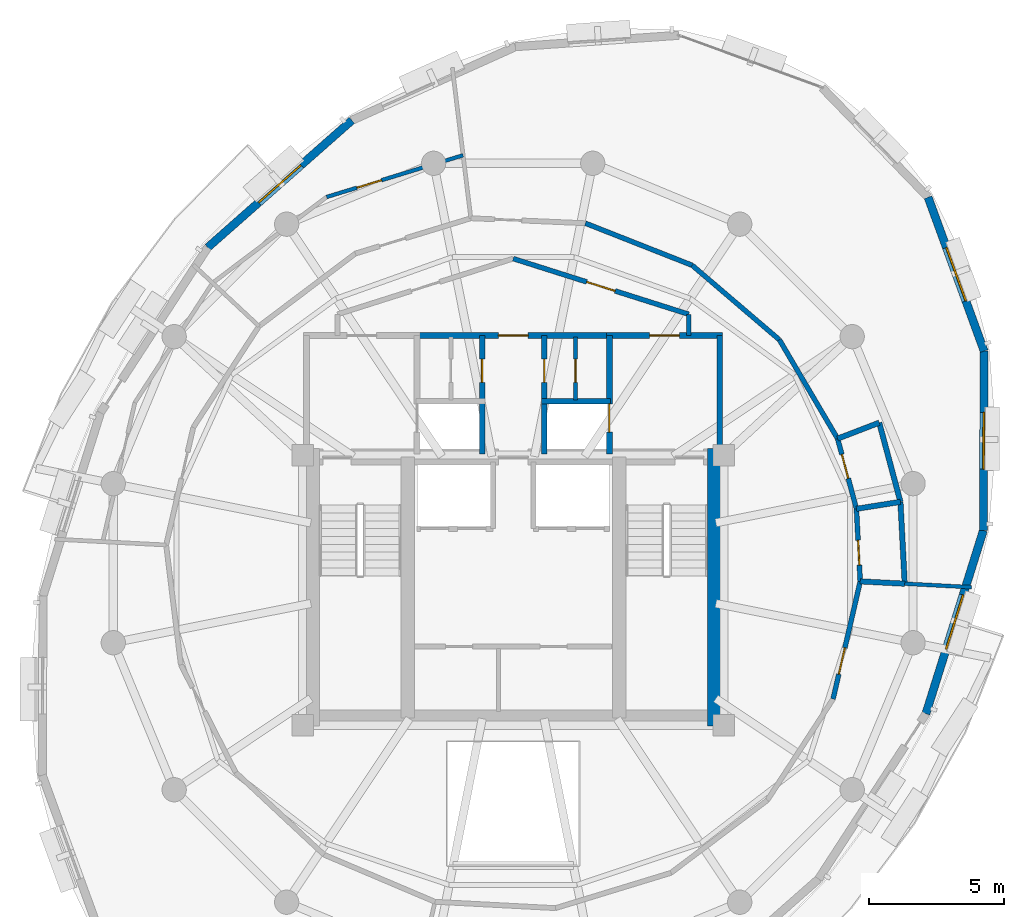
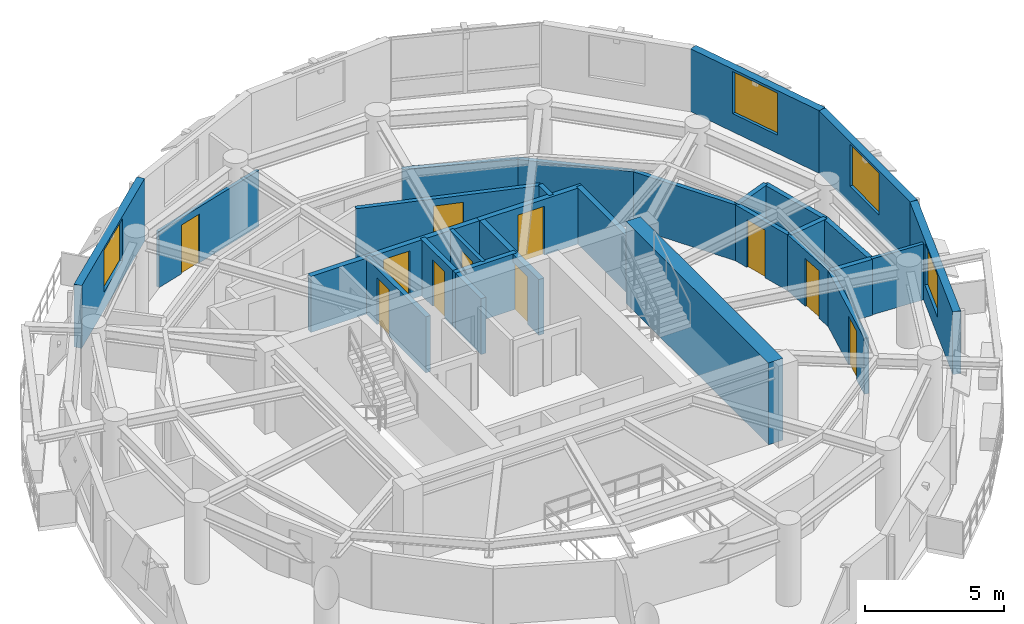
# One storey, part 8 of 11: 28 walls, 11 doors, 4 windows, 15 openings.
"""IFC4 building model written with IfcOpenShell, lengths in metres."""

import ifcopenshell
import ifcopenshell.guid

model = None  # the IFC model being written
_history = None  # IfcOwnerHistory: only IFC2X3 demands one
_inside = {}  # id of a spatial element -> (the spatial element, [elements in it])
_under = {}  # id of a project, library or spatial element -> (it, [spatial elements below it])
_declared = {}  # id of a project -> (the project, [libraries it declares])
_typed = {}  # id of a type object -> (the type object, [elements of that type])
_made_of = {}  # id of a material, layer set ... -> (it, [elements and type objects made of it])


def new_model(schema):
    """Start an empty IFC model of exactly this schema.

    Asked for "IFC4X3", IfcOpenShell would pick the latest addendum, in which some entities
    have other attributes; the version numbers below select the first issue.
    IFC2X3 requires an IfcOwnerHistory on every rooted entity: one is made here for all.
    """
    global model, _history
    if schema == "IFC4X3":
        model = ifcopenshell.file(schema_version=(4, 3, 0, 0))
    else:
        model = ifcopenshell.file(schema=schema)
    _inside.clear()
    _under.clear()
    _declared.clear()
    _typed.clear()
    _made_of.clear()
    _history = None
    if model.schema == "IFC2X3":
        org = make("IfcOrganization", Name="unknown")
        user = make(
            "IfcPersonAndOrganization",
            ThePerson=make("IfcPerson", FamilyName="unknown"),
            TheOrganization=org,
        )
        app = make(
            "IfcApplication",
            ApplicationDeveloper=org,
            Version="unknown",
            ApplicationFullName="unknown",
            ApplicationIdentifier="unknown",
        )
        _history = make(
            "IfcOwnerHistory",
            OwningUser=user,
            OwningApplication=app,
            ChangeAction="ADDED",
            CreationDate=0,
        )
    return model


def make(cls, **values):
    """One entity of the class cls with the attributes given. An attribute that is None is left unset."""
    return model.create_entity(
        cls, **{name: value for name, value in values.items() if value is not None}
    )


def rooted(cls, **values):
    """An entity with a GlobalId (a new one), such as an element, a storey or a relation."""
    return make(cls, GlobalId=ifcopenshell.guid.new(), OwnerHistory=_history, **values)


def si_unit(unit_type, name, prefix=None):
    """IfcSIUnit, for example si_unit("LENGTHUNIT", "METRE", prefix="MILLI")."""
    return make("IfcSIUnit", UnitType=unit_type, Prefix=prefix, Name=name)


def assignment(units):
    """IfcUnitAssignment: the units of a project."""
    return None if units is None else make("IfcUnitAssignment", Units=units)


def point(xyz):
    """IfcCartesianPoint."""
    return None if xyz is None else make("IfcCartesianPoint", Coordinates=xyz)


def direction(xyz):
    """IfcDirection."""
    return None if xyz is None else make("IfcDirection", DirectionRatios=xyz)


def frame(location, z_axis=None, x_axis=None):
    """IfcAxis2Placement3D, a coordinate frame: its origin and axes. An axis left out is left unset."""
    return make(
        "IfcAxis2Placement3D",
        Location=point(location),
        Axis=direction(z_axis),
        RefDirection=direction(x_axis),
    )


def frame_2d(location, x_axis=None):
    """IfcAxis2Placement2D, a coordinate frame in the plane: its origin and x axis."""
    return make(
        "IfcAxis2Placement2D", Location=point(location), RefDirection=direction(x_axis)
    )


def origin():
    """The frame at (0, 0, 0) with its axes left unset."""
    return frame((0.0, 0.0, 0.0))


def place(relative_to, where):
    """IfcLocalPlacement: puts the frame where relative to a parent placement (None: the world)."""
    return make(
        "IfcLocalPlacement", PlacementRelTo=relative_to, RelativePlacement=where
    )


def context(
    kind, dimensions, precision=None, world=None, true_north=None, identifier=None
):
    """IfcGeometricRepresentationContext, for example the 3D "Model" context."""
    return make(
        "IfcGeometricRepresentationContext",
        ContextIdentifier=identifier,
        ContextType=kind,
        CoordinateSpaceDimension=dimensions,
        Precision=precision,
        WorldCoordinateSystem=world,
        TrueNorth=true_north,
    )


def subcontext(parent, identifier, kind, view, scale=None):
    """IfcGeometricRepresentationSubContext, for example "Body" below "Model"."""
    return make(
        "IfcGeometricRepresentationSubContext",
        ContextIdentifier=identifier,
        ContextType=kind,
        ParentContext=parent,
        TargetScale=scale,
        TargetView=view,
    )


def project(units=None, contexts=None):
    """IfcProject with its units and contexts."""
    return rooted(
        "IfcProject",
        Name="project",
        RepresentationContexts=contexts,
        UnitsInContext=assignment(units),
    )


def spatial(cls, under=None, at=None, **own):
    """A site, building, storey or space (cls), placed at a placement, below another one or the project."""
    s = rooted(cls, ObjectPlacement=at, **own)
    if under is not None:
        _under.setdefault(under.id(), (under, []))[1].append(s)
    return s


def profile(cls, at=None, kind="AREA", **sizes):
    """A parametric profile (cls). Its sizes go by their IFC names, for example OverallWidth=200.0."""
    return make(cls, ProfileType=kind, Position=at, **sizes)


def rectangle(**sizes):
    """IfcRectangleProfileDef."""
    return profile("IfcRectangleProfileDef", **sizes)


def extrude(swept, where, along, depth):
    """IfcExtrudedAreaSolid: the profile swept, set in the frame where, extruded along a direction by depth."""
    return make(
        "IfcExtrudedAreaSolid",
        SweptArea=swept,
        Position=where,
        ExtrudedDirection=direction(along),
        Depth=depth,
    )


def shape(context_of_items, identifier, shape_type, items):
    """IfcShapeRepresentation: the items that make up one representation, for example the "Body"."""
    return make(
        "IfcShapeRepresentation",
        ContextOfItems=context_of_items,
        RepresentationIdentifier=identifier,
        RepresentationType=shape_type,
        Items=items,
    )


def material(Name=None, Category=None):
    """IfcMaterial."""
    return make("IfcMaterial", Name=Name, Category=Category)


def layer(
    of_material, thickness, ventilated=None, Name=None, Category=None, Priority=None
):
    """IfcMaterialLayer: one layer of a wall or slab, of a material (None: an air gap)."""
    return make(
        "IfcMaterialLayer",
        Material=of_material,
        LayerThickness=thickness,
        IsVentilated=ventilated,
        Name=Name,
        Category=Category,
        Priority=Priority,
    )


def layer_set(layers, Name=None):
    """IfcMaterialLayerSet."""
    return make("IfcMaterialLayerSet", MaterialLayers=layers, LayerSetName=Name)


def made_of(thing, what):
    """Note that an element or type object is made of a material, layer set ...; save() writes the relation."""
    if what is not None:
        _made_of.setdefault(what.id(), (what, []))[1].append(thing)
    return thing


def type_object(cls, material=None, **own):
    """A type object (cls), such as IfcWallType, which elements share."""
    return made_of(rooted(cls, **own), material)


def element(
    cls,
    number,
    at=None,
    inside=None,
    cuts=None,
    type_object=None,
    material=None,
    context=None,
    identifier="Body",
    shape_type=None,
    held_by="IfcProductDefinitionShape",
    body=None,
    shapes=None,
    **own,
):
    """One element of the class cls, such as IfcWall. Its Tag is "e" and its number.

    at: its placement. inside: the storey or other place that contains it. cuts: it is an
    opening in that element (IfcRelVoidsElement). A single representation is given by context,
    identifier, shape_type and body (its items); several are given by shapes. held_by: the class
    of the entity that holds the representations. save() writes the other relations.
    """
    e = rooted(cls, Tag="e%d" % number, ObjectPlacement=at, **own)
    if body is not None:
        shapes = [shape(context, identifier, shape_type, body)]
    if shapes is not None:
        e.Representation = make(held_by, Representations=shapes)
    if inside is not None:
        _inside.setdefault(inside.id(), (inside, []))[1].append(e)
    if cuts is not None:
        rooted(
            "IfcRelVoidsElement", RelatingBuildingElement=cuts, RelatedOpeningElement=e
        )
    if type_object is not None:
        _typed.setdefault(type_object.id(), (type_object, []))[1].append(e)
    return made_of(e, material)


def fill(opening, filler):
    """IfcRelFillsElement: the door or window that sits in an opening."""
    return rooted(
        "IfcRelFillsElement",
        RelatingOpeningElement=opening,
        RelatedBuildingElement=filler,
    )


def aggregate(whole, parts):
    """IfcRelAggregates: a whole, such as a stair, and the parts it consists of."""
    return rooted("IfcRelAggregates", RelatingObject=whole, RelatedObjects=parts)


def save(model, path):
    """Write the relations noted so far, then the file.

    IfcRelAggregates (storeys below a building ...), IfcRelContainedInSpatialStructure (elements
    in a storey), IfcRelDefinesByType, IfcRelAssociatesMaterial and IfcRelDeclares: one each for
    every whole, place, type object, material and project.
    """
    for whole, parts in _under.values():
        aggregate(whole, parts)
    for where, things in _inside.values():
        rooted(
            "IfcRelContainedInSpatialStructure",
            RelatedElements=things,
            RelatingStructure=where,
        )
    for kind, things in _typed.values():
        rooted("IfcRelDefinesByType", RelatedObjects=things, RelatingType=kind)
    for what, things in _made_of.values():
        rooted("IfcRelAssociatesMaterial", RelatedObjects=things, RelatingMaterial=what)
    for by, libraries in _declared.values():
        rooted("IfcRelDeclares", RelatingContext=by, RelatedDefinitions=libraries)
    model.write(path)


model = new_model("IFC4")

# Units and contexts
model_context = context("Model", 3, precision=1e-05, world=origin(), true_north=direction((0.0, 1.0)))
body_context = subcontext(model_context, "Body", "Model", "MODEL_VIEW")
ifc_project = project(units=[si_unit("LENGTHUNIT", "METRE"), si_unit("AREAUNIT", "SQUARE_METRE"), si_unit("VOLUMEUNIT", "CUBIC_METRE"), si_unit("PLANEANGLEUNIT", "RADIAN"), si_unit("MASSUNIT", "GRAM", prefix="KILO"), si_unit("THERMODYNAMICTEMPERATUREUNIT", "KELVIN"), si_unit("POWERUNIT", "WATT")], contexts=[model_context])

# Site, building, storey
site_placement = place(None, origin())
site = spatial("IfcSite", under=ifc_project, at=site_placement, CompositionType="ELEMENT")
building_placement = place(site_placement, origin())
building = spatial("IfcBuilding", under=site, at=building_placement, Name="Ocrelia Relay Tower", CompositionType="ELEMENT")
storey_placement = place(building_placement, frame((0.0, 0.0, 266.39990234375)))
storey = spatial("IfcBuildingStorey", under=building, at=storey_placement, Name="L66", CompositionType="ELEMENT", Elevation=266.39990234375)

# Walls
ifc_material_1 = material(Name="Concrete C50/60", Category="concrete")
ifc_layer_1 = layer(ifc_material_1, 0.60009765625, Name="Concrete C50/60")
ifc_layer_set_1 = layer_set([ifc_layer_1], Name="Concrete C50/60")
wall_type_1 = type_object("IfcWallType", Name="CW-CORE-600B", PredefinedType="SHEAR", material=ifc_layer_set_1)
wall_1_placement = place(storey_placement, frame((41.488037109375, 19.9619140625, 0.0), z_axis=(0.0, 0.0, 1.0), x_axis=(0.0, 1.0, 0.0)))
element("IfcWall", 1, at=wall_1_placement, inside=storey, type_object=wall_type_1, Name="L66 Core Shear Wall E", PredefinedType="SHEAR", context=body_context, shape_type="SweptSolid", body=[
    extrude(rectangle(XDim=10.276123046875, YDim=0.60009765625, at=frame_2d((5.13818359375, 0.0))), origin(), (0.0, 0.0, 1.0), 3.60009765625),
])
ifc_material_2 = material(Name="Gypsum Fireboard Partition EI60", Category="gypsum")
ifc_layer_2 = layer(ifc_material_2, 0.179931640625, Name="Gypsum Fireboard Partition EI60")
ifc_layer_set_2 = layer_set([ifc_layer_2], Name="Gypsum Fireboard Partition EI60")
wall_type_2 = type_object("IfcWallType", Name="W-CORR-EI60-180", PredefinedType="PARTITIONING", material=ifc_layer_set_2)
wall_2_placement = place(storey_placement, frame((40.5, 35.218994140625, 0.0), z_axis=(0.0, 0.0, 1.0), x_axis=(0.0, -1.0, 0.0)))
element("IfcWall", 2, at=wall_2_placement, inside=storey, type_object=wall_type_2, Name="L66 Smoke Lobby East Return", PredefinedType="PARTITIONING", context=body_context, shape_type="SweptSolid", body=[
    extrude(rectangle(XDim=0.7890625, YDim=0.179931640625, at=frame_2d((0.39453125, 0.0))), origin(), (0.0, 0.0, 1.0), 2.460205078125),
])

# Wall, opening, door
wall_3_placement = place(storey_placement, frame((34.0, 37.280029296875, 0.0), z_axis=(0.0, 0.0, 1.0), x_axis=(0.953228121756, -0.302251795518, 0.0)))
wall_3 = element("IfcWall", 3, at=wall_3_placement, inside=storey, type_object=wall_type_2, Name="L66 North Smoke Lobby E Screen Wall", PredefinedType="PARTITIONING", context=body_context, shape_type="SweptSolid", body=[
    extrude(rectangle(XDim=6.81884765625, YDim=0.179931640625, at=frame_2d((3.409423828125, 0.0))), origin(), (0.0, 0.0, 1.0), 2.460205078125),
])
opening_1_placement = place(wall_3_placement, frame((2.859619140625, 0.0, 0.0)))
opening_1 = element("IfcOpeningElement", 4, at=opening_1_placement, cuts=wall_3, Name="Opening D-FD60", PredefinedType="OPENING", context=body_context, shape_type="SweptSolid", body=[
    extrude(rectangle(XDim=1.10009765625, YDim=2.14990234375, at=frame_2d((0.550048828125, 1.074951171875))), frame((0.0, 0.10009765625, 0.0), z_axis=(0.0, -1.0, 0.0), x_axis=(1.0, 0.0, 0.0)), (0.0, 0.0, 1.0), 0.199951171875),
])
ifc_material_3 = material(Name="Timber-core 60-min acoustic fire door", Category="wood")
door_type_1 = type_object("IfcDoorType", Name="DR-LOBBY-FD60-1100", OperationType="NOTDEFINED", PredefinedType="DOOR", material=ifc_material_3)
door_1_placement = place(opening_1_placement, origin())
door_1 = element("IfcDoor", 5, at=door_1_placement, inside=storey, type_object=door_type_1, Name="L66 North Smoke Lobby E Fire Door", OperationType="SINGLE_SWING_RIGHT", OverallHeight=2.14990234375, OverallWidth=1.10009765625, PredefinedType="DOOR", context=body_context, shape_type="SweptSolid", body=[
    extrude(rectangle(XDim=1.10009765625, YDim=2.14990234375, at=frame_2d((0.550048828125, 1.074951171875))), frame((0.0, 0.02490234375, 0.0), z_axis=(0.0, -1.0, 0.0), x_axis=(1.0, 0.0, 0.0)), (0.0, 0.0, 1.0), 0.050048828125),
])
fill(opening_1, door_1)

wall_4_placement = place(storey_placement, frame((46.852294921875, 25.326416015625, 0.0), z_axis=(0.0, 0.0, 1.0), x_axis=(-0.052358796069, 0.998628337508, 0.0)))
wall_4 = element("IfcWall", 6, at=wall_4_placement, inside=storey, type_object=wall_type_2, Name="L66 Staff Toilet Corridor Wall", PredefinedType="PARTITIONING", context=body_context, shape_type="SweptSolid", body=[
    extrude(rectangle(XDim=2.6904296875, YDim=0.179931640625, at=frame_2d((1.34521484375, 0.0))), origin(), (0.0, 0.0, 1.0), 2.460205078125),
])
opening_2_placement = place(wall_4_placement, frame((0.603271484375, 0.0, 0.0)))
opening_2 = element("IfcOpeningElement", 7, at=opening_2_placement, cuts=wall_4, Name="Opening D-WC92", PredefinedType="OPENING", context=body_context, shape_type="SweptSolid", body=[
    extrude(rectangle(XDim=0.919921875, YDim=2.10009765625, at=frame_2d((0.4599609375, 1.050048828125))), frame((0.0, 0.10009765625, 0.0), z_axis=(0.0, -1.0, 0.0), x_axis=(1.0, 0.0, 0.0)), (0.0, 0.0, 1.0), 0.199951171875),
])
ifc_material_4 = material(Name="Laminate washroom door", Category="wood")
door_type_2 = type_object("IfcDoorType", Name="DR-WC-920", OperationType="NOTDEFINED", PredefinedType="DOOR", material=ifc_material_4)
door_2_placement = place(opening_2_placement, origin())
door_2 = element("IfcDoor", 8, at=door_2_placement, inside=storey, type_object=door_type_2, Name="L66 Staff Toilet Door", OperationType="SINGLE_SWING_LEFT", OverallHeight=2.10009765625, OverallWidth=0.919921875, PredefinedType="DOOR", context=body_context, shape_type="SweptSolid", body=[
    extrude(rectangle(XDim=0.919921875, YDim=2.10009765625, at=frame_2d((0.4599609375, 1.050048828125))), frame((0.0, 0.02490234375, 0.0), z_axis=(0.0, -1.0, 0.0), x_axis=(1.0, 0.0, 0.0)), (0.0, 0.0, 1.0), 0.050048828125),
])
fill(opening_2, door_2)

wall_5_placement = place(storey_placement, frame((46.71142578125, 28.01318359375, 0.0), z_axis=(0.0, 0.0, 1.0), x_axis=(-0.258769343788, 0.965939142346, 0.0)))
wall_5 = element("IfcWall", 9, at=wall_5_placement, inside=storey, type_object=wall_type_2, Name="L66 Accessible Toilet Corridor Wall", PredefinedType="PARTITIONING", context=body_context, shape_type="SweptSolid", body=[
    extrude(rectangle(XDim=2.690673828125, YDim=0.179931640625, at=frame_2d((1.34521484375, 0.0))), origin(), (0.0, 0.0, 1.0), 2.460205078125),
])
opening_3_placement = place(wall_5_placement, frame((1.16748046875, 0.0, 0.0)))
opening_3 = element("IfcOpeningElement", 10, at=opening_3_placement, cuts=wall_5, Name="Opening D-WC92", PredefinedType="OPENING", context=body_context, shape_type="SweptSolid", body=[
    extrude(rectangle(XDim=0.919921875, YDim=2.10009765625, at=frame_2d((0.4599609375, 1.050048828125))), frame((0.0, 0.10009765625, 0.0), z_axis=(0.0, -1.0, 0.0), x_axis=(1.0, 0.0, 0.0)), (0.0, 0.0, 1.0), 0.199951171875),
])
door_3_placement = place(opening_3_placement, origin())
door_3 = element("IfcDoor", 11, at=door_3_placement, inside=storey, type_object=door_type_2, Name="L66 Accessible Toilet Door", OperationType="SINGLE_SWING_RIGHT", OverallHeight=2.10009765625, OverallWidth=0.919921875, PredefinedType="DOOR", context=body_context, shape_type="SweptSolid", body=[
    extrude(rectangle(XDim=0.919921875, YDim=2.10009765625, at=frame_2d((0.4599609375, 1.050048828125))), frame((0.0, 0.02490234375, 0.0), z_axis=(0.0, -1.0, 0.0), x_axis=(1.0, 0.0, 0.0)), (0.0, 0.0, 1.0), 0.050048828125),
])
fill(opening_3, door_3)

# Walls
for number, where, z_axis, x_axis, name in (
    (12, (46.01513671875, 30.6123046875, 0.0), (0.0, 0.0, 1.0), (-0.50755747948, 0.861617899665, 0.0), "L66 Archive Vault Store East Corridor Partition 1"),
    (13, (43.85888671875, 34.272705078125, 0.0), (0.0, 0.0, 1.0), (-0.760411517563, 0.649441547761, 0.0), "L66 Archive Vault Store East Corridor Partition 2"),
    (14, (40.62841796875, 37.03173828125, 0.0), (0.0, 0.0, 1.0), (-0.930406017334, 0.366530548398, 0.0), "L66 Archive Vault Store East Corridor Partition 3"),
):
    element("IfcWall", number, at=place(storey_placement, frame(where, z_axis=z_axis, x_axis=x_axis)), inside=storey, type_object=wall_type_2, Name=name, PredefinedType="PARTITIONING", context=body_context, shape_type="SweptSolid", body=[
        extrude(rectangle(XDim=4.248291015625, YDim=0.179931640625, at=frame_2d((2.1240234375, 0.0))), origin(), (0.0, 0.0, 1.0), 2.460205078125),
    ])

# Wall, opening, door
wall_6_placement = place(storey_placement, frame((45.846923828125, 20.97119140625, 0.0), z_axis=(0.0, 0.0, 1.0), x_axis=(0.224927321525, 0.974375543634, 0.0)))
wall_6 = element("IfcWall", 15, at=wall_6_placement, inside=storey, type_object=wall_type_2, Name="L66 Archive Vault Store West Corridor Partition 5", PredefinedType="PARTITIONING", context=body_context, shape_type="SweptSolid", body=[
    extrude(rectangle(XDim=4.4697265625, YDim=0.179931640625, at=frame_2d((2.23486328125, 0.0))), origin(), (0.0, 0.0, 1.0), 2.460205078125),
])
opening_4_placement = place(wall_6_placement, frame((0.9423828125, 0.0, 0.0)))
opening_4 = element("IfcOpeningElement", 16, at=opening_4_placement, cuts=wall_6, Name="Opening D-RM100", PredefinedType="OPENING", context=body_context, shape_type="SweptSolid", body=[
    extrude(rectangle(XDim=1.0, YDim=2.14990234375, at=frame_2d((0.5, 1.074951171875))), frame((0.0, 0.10009765625, 0.0), z_axis=(0.0, -1.0, 0.0), x_axis=(1.0, 0.0, 0.0)), (0.0, 0.0, 1.0), 0.199951171875),
])
ifc_material_5 = material(Name="Acoustic oak veneer fire door", Category="wood")
door_type_3 = type_object("IfcDoorType", Name="DR-ROOM-FD60-1000", OperationType="NOTDEFINED", PredefinedType="DOOR", material=ifc_material_5)
door_4_placement = place(opening_4_placement, origin())
door_4 = element("IfcDoor", 17, at=door_4_placement, inside=storey, type_object=door_type_3, Name="L66 Archive Vault Store West Entrance Door", OperationType="SINGLE_SWING_LEFT", OverallHeight=2.14990234375, OverallWidth=1.0, PredefinedType="DOOR", context=body_context, shape_type="SweptSolid", body=[
    extrude(rectangle(XDim=1.0, YDim=2.14990234375, at=frame_2d((0.5, 1.074951171875))), frame((0.0, 0.02490234375, 0.0), z_axis=(0.0, -1.0, 0.0), x_axis=(1.0, 0.0, 0.0)), (0.0, 0.0, 1.0), 0.050048828125),
])
fill(opening_4, door_4)

# Wall, opening, window
ifc_material_6 = material(Name="Precast concrete C40/50 with oxide terracotta", Category="masonry")
ifc_layer_3 = layer(ifc_material_6, 0.300048828125, Name="Precast concrete C40/50 with oxide terracotta")
ifc_layer_set_3 = layer_set([ifc_layer_3], Name="Precast concrete C40/50 with oxide terracotta")
wall_type_3 = type_object("IfcWallType", Name="W-EXT-TERR-300", PredefinedType="SOLIDWALL", material=ifc_layer_set_3)
wall_7_placement = place(storey_placement, frame((28.025146484375, 42.39990234375, 0.0), z_axis=(0.0, 0.0, 1.0), x_axis=(-0.750016069433, -0.661419606295, 0.0)))
wall_7 = element("IfcWall", 18, at=wall_7_placement, inside=storey, type_object=wall_type_3, Name="L66 Oxide Terracotta Facade Wall 04", PredefinedType="SOLIDWALL", context=body_context, shape_type="SweptSolid", body=[
    extrude(rectangle(XDim=7.114990234375, YDim=0.300048828125, at=frame_2d((3.5576171875, 0.0))), origin(), (0.0, 0.0, 1.0), 2.760009765625),
])
opening_5_placement = place(wall_7_placement, frame((2.508056640625, 0.0, 0.800048828125)))
opening_5 = element("IfcOpeningElement", 19, at=opening_5_placement, cuts=wall_7, Name="Opening W-07", PredefinedType="OPENING", context=body_context, shape_type="SweptSolid", body=[
    extrude(rectangle(XDim=2.10009765625, YDim=1.85009765625, at=frame_2d((1.050048828125, 0.925048828125))), frame((0.0, 0.16015625, 0.0), z_axis=(0.0, -1.0, 0.0), x_axis=(1.0, 0.0, 0.0)), (0.0, 0.0, 1.0), 0.320068359375),
])
ifc_material_7 = material(Name="Clear double-glazed low-E glass", Category="glass")
window_type = type_object("IfcWindowType", Name="WIN-Z4-2100x2200", PartitioningType="DOUBLE_PANEL_VERTICAL", PredefinedType="WINDOW", material=ifc_material_7)
window_1_placement = place(opening_5_placement, origin())
window_1 = element("IfcWindow", 20, at=window_1_placement, inside=storey, type_object=window_type, Name="L66 Facade Module Window 04", OverallHeight=1.85009765625, OverallWidth=2.10009765625, PartitioningType="SINGLE_PANEL", PredefinedType="WINDOW", context=body_context, shape_type="SweptSolid", body=[
    extrude(rectangle(XDim=2.10009765625, YDim=1.85009765625, at=frame_2d((1.050048828125, 0.925048828125))), frame((0.0, 0.030029296875, 0.0), z_axis=(0.0, -1.0, 0.0), x_axis=(1.0, 0.0, 0.0)), (0.0, 0.0, 1.0), 0.06005859375),
])
fill(opening_5, window_1)

wall_8_placement = place(storey_placement, frame((49.283447265625, 20.4228515625, 0.0), z_axis=(0.0, 0.0, 1.0), x_axis=(0.299202870459, 0.954189521169, 0.0)))
wall_8 = element("IfcWall", 21, at=wall_8_placement, inside=storey, type_object=wall_type_3, Name="L66 Oxide Terracotta Facade Wall 15", PredefinedType="SOLIDWALL", context=body_context, shape_type="SweptSolid", body=[
    extrude(rectangle(XDim=7.115234375, YDim=0.300048828125, at=frame_2d((3.5576171875, 0.0))), origin(), (0.0, 0.0, 1.0), 2.760009765625),
])
opening_6_placement = place(wall_8_placement, frame((2.508056640625, 0.0, 0.800048828125)))
opening_6 = element("IfcOpeningElement", 22, at=opening_6_placement, cuts=wall_8, Name="Opening W-07", PredefinedType="OPENING", context=body_context, shape_type="SweptSolid", body=[
    extrude(rectangle(XDim=2.10009765625, YDim=1.85009765625, at=frame_2d((1.050048828125, 0.925048828125))), frame((0.0, 0.16015625, 0.0), z_axis=(0.0, -1.0, 0.0), x_axis=(1.0, 0.0, 0.0)), (0.0, 0.0, 1.0), 0.320068359375),
])
window_2_placement = place(opening_6_placement, origin())
window_2 = element("IfcWindow", 23, at=window_2_placement, inside=storey, type_object=window_type, Name="L66 Facade Module Window 15", OverallHeight=1.85009765625, OverallWidth=2.10009765625, PartitioningType="SINGLE_PANEL", PredefinedType="WINDOW", context=body_context, shape_type="SweptSolid", body=[
    extrude(rectangle(XDim=2.10009765625, YDim=1.85009765625, at=frame_2d((1.050048828125, 0.925048828125))), frame((0.0, 0.030029296875, 0.0), z_axis=(0.0, -1.0, 0.0), x_axis=(1.0, 0.0, 0.0)), (0.0, 0.0, 1.0), 0.06005859375),
])
fill(opening_6, window_2)

wall_9_placement = place(storey_placement, frame((51.412353515625, 27.212158203125, 0.0), z_axis=(0.0, 0.0, 1.0), x_axis=(0.004299849997, 0.999990755602, 0.0)))
wall_9 = element("IfcWall", 24, at=wall_9_placement, inside=storey, type_object=wall_type_3, Name="L66 Oxide Terracotta Facade Wall 16", PredefinedType="SOLIDWALL", context=body_context, shape_type="SweptSolid", body=[
    extrude(rectangle(XDim=6.64306640625, YDim=0.300048828125, at=frame_2d((3.321533203125, 0.0))), origin(), (0.0, 0.0, 1.0), 2.760009765625),
])
opening_7_placement = place(wall_9_placement, frame((2.27197265625, 0.0, 0.800048828125)))
opening_7 = element("IfcOpeningElement", 25, at=opening_7_placement, cuts=wall_9, Name="Opening W-07", PredefinedType="OPENING", context=body_context, shape_type="SweptSolid", body=[
    extrude(rectangle(XDim=2.10009765625, YDim=1.85009765625, at=frame_2d((1.050048828125, 0.925048828125))), frame((0.0, 0.16015625, 0.0), z_axis=(0.0, -1.0, 0.0), x_axis=(1.0, 0.0, 0.0)), (0.0, 0.0, 1.0), 0.320068359375),
])
window_3_placement = place(opening_7_placement, origin())
window_3 = element("IfcWindow", 26, at=window_3_placement, inside=storey, type_object=window_type, Name="L66 Facade Module Window 16", OverallHeight=1.85009765625, OverallWidth=2.10009765625, PartitioningType="SINGLE_PANEL", PredefinedType="WINDOW", context=body_context, shape_type="SweptSolid", body=[
    extrude(rectangle(XDim=2.10009765625, YDim=1.85009765625, at=frame_2d((1.050048828125, 0.925048828125))), frame((0.0, 0.030029296875, 0.0), z_axis=(0.0, -1.0, 0.0), x_axis=(1.0, 0.0, 0.0)), (0.0, 0.0, 1.0), 0.06005859375),
])
fill(opening_7, window_3)

wall_10_placement = place(storey_placement, frame((51.44091796875, 33.855224609375, 0.0), z_axis=(0.0, 0.0, 1.0), x_axis=(-0.342338007152, 0.939576866924, 0.0)))
wall_10 = element("IfcWall", 27, at=wall_10_placement, inside=storey, type_object=wall_type_3, Name="L66 Oxide Terracotta Facade Wall 17", PredefinedType="SOLIDWALL", context=body_context, shape_type="SweptSolid", body=[
    extrude(rectangle(XDim=6.061767578125, YDim=0.300048828125, at=frame_2d((3.03076171875, 0.0))), origin(), (0.0, 0.0, 1.0), 2.760009765625),
])
opening_8_placement = place(wall_10_placement, frame((1.98095703125, 0.0, 0.800048828125)))
opening_8 = element("IfcOpeningElement", 28, at=opening_8_placement, cuts=wall_10, Name="Opening W-07", PredefinedType="OPENING", context=body_context, shape_type="SweptSolid", body=[
    extrude(rectangle(XDim=2.10009765625, YDim=1.85009765625, at=frame_2d((1.050048828125, 0.925048828125))), frame((0.0, 0.16015625, 0.0), z_axis=(0.0, -1.0, 0.0), x_axis=(1.0, 0.0, 0.0)), (0.0, 0.0, 1.0), 0.320068359375),
])
window_4_placement = place(opening_8_placement, origin())
window_4 = element("IfcWindow", 29, at=window_4_placement, inside=storey, type_object=window_type, Name="L66 Facade Module Window 17", OverallHeight=1.85009765625, OverallWidth=2.10009765625, PartitioningType="SINGLE_PANEL", PredefinedType="WINDOW", context=body_context, shape_type="SweptSolid", body=[
    extrude(rectangle(XDim=2.10009765625, YDim=1.85009765625, at=frame_2d((1.050048828125, 0.925048828125))), frame((0.0, 0.030029296875, 0.0), z_axis=(0.0, -1.0, 0.0), x_axis=(1.0, 0.0, 0.0)), (0.0, 0.0, 1.0), 0.06005859375),
])
fill(opening_8, window_4)

# Wall, opening, door
ifc_layer_4 = layer(ifc_material_1, 0.219970703125, Name="Concrete C50/60")
ifc_layer_set_4 = layer_set([ifc_layer_4], Name="Concrete C50/60")
wall_type_4 = type_object("IfcWallType", Name="W-FFL-EI120-220", PredefinedType="SOLIDWALL", material=ifc_layer_set_4)
wall_11_placement = place(storey_placement, frame((37.56005859375, 30.050048828125, 0.0), z_axis=(0.0, 0.0, 1.0), x_axis=(0.0, 1.0, 0.0)))
wall_11 = element("IfcWall", 30, at=wall_11_placement, inside=storey, type_object=wall_type_4, Name="L66 E Fire Service Lift Lobby West Wall", PredefinedType="SOLIDWALL", context=body_context, shape_type="SweptSolid", body=[
    extrude(rectangle(XDim=4.3798828125, YDim=0.219970703125, at=frame_2d((2.18994140625, 0.0))), origin(), (0.0, 0.0, 1.0), 2.460205078125),
])
opening_9_placement = place(wall_11_placement, frame((0.800048828125, 0.0, 0.0)))
opening_9 = element("IfcOpeningElement", 31, at=opening_9_placement, cuts=wall_11, Name="Opening LD-FFL2", PredefinedType="OPENING", context=body_context, shape_type="SweptSolid", body=[
    extrude(rectangle(XDim=1.050048828125, YDim=2.10009765625, at=frame_2d((0.52490234375, 1.050048828125))), frame((0.0, 0.1201171875, 0.0), z_axis=(0.0, -1.0, 0.0), x_axis=(1.0, 0.0, 0.0)), (0.0, 0.0, 1.0), 0.239990234375),
])
ifc_material_8 = material(Name="Brushed stainless steel S355 lift landing door", Category="steel")
door_type_4 = type_object("IfcDoorType", Name="DR-LIFT-LAND-1050", OperationType="DOUBLE_DOOR_SLIDING", PredefinedType="USERDEFINED", material=ifc_material_8)
door_5_placement = place(opening_9_placement, origin())
door_5 = element("IfcDoor", 32, at=door_5_placement, inside=storey, type_object=door_type_4, Name="L66 Firefighting Lift FFL2 Sliding Landing Door", ObjectType="LANDING DOOR", OperationType="DOUBLE_DOOR_SLIDING", OverallHeight=2.10009765625, OverallWidth=1.050048828125, PredefinedType="USERDEFINED", context=body_context, shape_type="SweptSolid", body=[
    extrude(rectangle(XDim=1.050048828125, YDim=2.10009765625, at=frame_2d((0.52490234375, 1.050048828125))), frame((0.0, 0.02490234375, 0.0), z_axis=(0.0, -1.0, 0.0), x_axis=(1.0, 0.0, 0.0)), (0.0, 0.0, 1.0), 0.050048828125),
])
fill(opening_9, door_5)

# Wall
wall_12_placement = place(storey_placement, frame((41.64990234375, 30.050048828125, 0.0), z_axis=(0.0, 0.0, 1.0), x_axis=(0.0, 1.0, 0.0)))
element("IfcWall", 33, at=wall_12_placement, inside=storey, type_object=wall_type_4, Name="L66 E Fire Service Lift Lobby East Wall", PredefinedType="SOLIDWALL", context=body_context, shape_type="SweptSolid", body=[
    extrude(rectangle(XDim=4.3798828125, YDim=0.219970703125, at=frame_2d((2.18994140625, 0.0))), origin(), (0.0, 0.0, 1.0), 2.460205078125),
])

# Wall, opening, door
wall_13_placement = place(storey_placement, frame((37.449951171875, 34.429931640625, 0.0), z_axis=(0.0, 0.0, 1.0), x_axis=(1.0, 0.0, 0.0)))
wall_13 = element("IfcWall", 34, at=wall_13_placement, inside=storey, type_object=wall_type_4, Name="L66 E Fire Service Lift Lobby North Wall", PredefinedType="SOLIDWALL", context=body_context, shape_type="SweptSolid", body=[
    extrude(rectangle(XDim=4.31005859375, YDim=0.219970703125, at=frame_2d((2.155029296875, 0.0))), origin(), (0.0, 0.0, 1.0), 2.460205078125),
])
opening_10_placement = place(wall_13_placement, frame((1.60009765625, 0.0, 0.0)))
opening_10 = element("IfcOpeningElement", 35, at=opening_10_placement, cuts=wall_13, Name="Opening D-FD60", PredefinedType="OPENING", context=body_context, shape_type="SweptSolid", body=[
    extrude(rectangle(XDim=1.10009765625, YDim=2.14990234375, at=frame_2d((0.550048828125, 1.074951171875))), frame((0.0, 0.1201171875, 0.0), z_axis=(0.0, -1.0, 0.0), x_axis=(1.0, 0.0, 0.0)), (0.0, 0.0, 1.0), 0.239990234375),
])
door_6_placement = place(opening_10_placement, origin())
door_6 = element("IfcDoor", 36, at=door_6_placement, inside=storey, type_object=door_type_1, Name="L66 E Fire Service Lift Lobby Exit Door", OperationType="SINGLE_SWING_RIGHT", OverallHeight=2.14990234375, OverallWidth=1.10009765625, PredefinedType="DOOR", context=body_context, shape_type="SweptSolid", body=[
    extrude(rectangle(XDim=1.10009765625, YDim=2.14990234375, at=frame_2d((0.550048828125, 1.074951171875))), frame((0.0, 0.02490234375, 0.0), z_axis=(0.0, -1.0, 0.0), x_axis=(1.0, 0.0, 0.0)), (0.0, 0.0, 1.0), 0.050048828125),
])
fill(opening_10, door_6)

wall_14_placement = place(storey_placement, frame((30.43994140625, 34.429931640625, 0.0), z_axis=(0.0, 0.0, 1.0), x_axis=(1.0, 0.0, 0.0)))
wall_14 = element("IfcWall", 37, at=wall_14_placement, inside=storey, type_object=wall_type_4, Name="L66 North Core Vestibule Wall", PredefinedType="SOLIDWALL", context=body_context, shape_type="SweptSolid", body=[
    extrude(rectangle(XDim=7.1201171875, YDim=0.219970703125, at=frame_2d((3.56005859375, 0.0))), origin(), (0.0, 0.0, 1.0), 2.460205078125),
])
opening_11_placement = place(wall_14_placement, frame((3.010009765625, 0.0, 0.0)))
opening_11 = element("IfcOpeningElement", 38, at=opening_11_placement, cuts=wall_14, Name="Opening D-FD60", PredefinedType="OPENING", context=body_context, shape_type="SweptSolid", body=[
    extrude(rectangle(XDim=1.10009765625, YDim=2.14990234375, at=frame_2d((0.550048828125, 1.074951171875))), frame((0.0, 0.1201171875, 0.0), z_axis=(0.0, -1.0, 0.0), x_axis=(1.0, 0.0, 0.0)), (0.0, 0.0, 1.0), 0.239990234375),
])
door_7_placement = place(opening_11_placement, origin())
door_7 = element("IfcDoor", 39, at=door_7_placement, inside=storey, type_object=door_type_1, Name="L66 North Core Vestibule Corridor Door", OperationType="SINGLE_SWING_RIGHT", OverallHeight=2.14990234375, OverallWidth=1.10009765625, PredefinedType="DOOR", context=body_context, shape_type="SweptSolid", body=[
    extrude(rectangle(XDim=1.10009765625, YDim=2.14990234375, at=frame_2d((0.550048828125, 1.074951171875))), frame((0.0, 0.02490234375, 0.0), z_axis=(0.0, -1.0, 0.0), x_axis=(1.0, 0.0, 0.0)), (0.0, 0.0, 1.0), 0.050048828125),
])
fill(opening_11, door_7)

# Wall
ifc_material_9 = material(Name="Acoustic Fireboard Partition EI60", Category="gypsum")
ifc_layer_5 = layer(ifc_material_9, 0.139892578125, Name="Acoustic Fireboard Partition EI60")
ifc_layer_set_5 = layer_set([ifc_layer_5], Name="Acoustic Fireboard Partition EI60")
wall_type_5 = type_object("IfcWallType", Name="W-PART-140", PredefinedType="PARTITIONING", material=ifc_layer_set_5)
wall_15_placement = place(storey_placement, frame((48.5, 25.239990234375, 0.0), z_axis=(0.0, 0.0, 1.0), x_axis=(0.998632746109, -0.052274643946, 0.0)))
element("IfcWall", 40, at=wall_15_placement, inside=storey, type_object=wall_type_5, Name="L66 Archive Vault Store East Radial Partition", PredefinedType="PARTITIONING", context=body_context, shape_type="SweptSolid", body=[
    extrude(rectangle(XDim=2.47998046875, YDim=0.139892578125, at=frame_2d((1.239990234375, 0.0))), origin(), (0.0, 0.0, 1.0), 2.460205078125),
])

# Wall, opening, door
wall_16_placement = place(storey_placement, frame((32.14501953125, 41.106689453125, 0.0), z_axis=(0.0, 0.0, 1.0), x_axis=(-0.956289877959, -0.292420364053, 0.0)))
wall_16 = element("IfcWall", 41, at=wall_16_placement, inside=storey, type_object=wall_type_5, Name="L66 Perimeter Registry Store A Mid-Ring Partition 1", PredefinedType="PARTITIONING", context=body_context, shape_type="SweptSolid", body=[
    extrude(rectangle(XDim=5.28564453125, YDim=0.139892578125, at=frame_2d((2.642822265625, 0.0))), origin(), (0.0, 0.0, 1.0), 2.460205078125),
])
opening_12_placement = place(wall_16_placement, frame((3.161865234375, 0.0, 0.0)))
opening_12 = element("IfcOpeningElement", 42, at=opening_12_placement, cuts=wall_16, Name="Opening D-RM95", PredefinedType="OPENING", context=body_context, shape_type="SweptSolid", body=[
    extrude(rectangle(XDim=0.949951171875, YDim=2.14990234375, at=frame_2d((0.47509765625, 1.074951171875))), frame((0.0, 0.080078125, 0.0), z_axis=(0.0, -1.0, 0.0), x_axis=(1.0, 0.0, 0.0)), (0.0, 0.0, 1.0), 0.159912109375),
])
door_type_5 = type_object("IfcDoorType", Name="DR-ROOM-950", OperationType="NOTDEFINED", PredefinedType="DOOR", material=ifc_material_5)
door_8_placement = place(opening_12_placement, origin())
door_8 = element("IfcDoor", 43, at=door_8_placement, inside=storey, type_object=door_type_5, Name="L66 Perimeter Registry Store A Connecting Door", OperationType="SINGLE_SWING_LEFT", OverallHeight=2.14990234375, OverallWidth=0.949951171875, PredefinedType="DOOR", context=body_context, shape_type="SweptSolid", body=[
    extrude(rectangle(XDim=0.949951171875, YDim=2.14990234375, at=frame_2d((0.47509765625, 1.074951171875))), frame((0.0, 0.02490234375, 0.0), z_axis=(0.0, -1.0, 0.0), x_axis=(1.0, 0.0, 0.0)), (0.0, 0.0, 1.0), 0.050048828125),
])
fill(opening_12, door_8)

ifc_layer_6 = layer(ifc_material_9, 0.14990234375, Name="Acoustic Fireboard Partition EI60")
ifc_layer_set_6 = layer_set([ifc_layer_6], Name="Acoustic Fireboard Partition EI60")
wall_type_6 = type_object("IfcWallType", Name="W-PART-150", PredefinedType="PARTITIONING", material=ifc_layer_set_6)
wall_17_placement = place(storey_placement, frame((36.31005859375, 32.050048828125, 0.0), z_axis=(0.0, 0.0, 1.0), x_axis=(0.0, 1.0, 0.0)))
wall_17 = element("IfcWall", 44, at=wall_17_placement, inside=storey, type_object=wall_type_6, Name="L66 East Core Support Partition", PredefinedType="PARTITIONING", context=body_context, shape_type="SweptSolid", body=[
    extrude(rectangle(XDim=2.329833984375, YDim=0.14990234375, at=frame_2d((1.1650390625, 0.0))), origin(), (0.0, 0.0, 1.0), 2.460205078125),
])
opening_13_placement = place(wall_17_placement, frame((0.64990234375, 0.0, 0.0)))
opening_13 = element("IfcOpeningElement", 45, at=opening_13_placement, cuts=wall_17, Name="Opening D-RS86", PredefinedType="OPENING", context=body_context, shape_type="SweptSolid", body=[
    extrude(rectangle(XDim=0.860107421875, YDim=2.050048828125, at=frame_2d((0.43017578125, 1.02490234375))), frame((0.0, 0.0849609375, 0.0), z_axis=(0.0, -1.0, 0.0), x_axis=(1.0, 0.0, 0.0)), (0.0, 0.0, 1.0), 0.169921875),
])
ifc_material_10 = material(Name="Steel S355 riser access fire door", Category="steel")
door_type_6 = type_object("IfcDoorType", Name="DR-RISER-TRAP-860", OperationType="NOTDEFINED", PredefinedType="TRAPDOOR", material=ifc_material_10)
door_9_placement = place(opening_13_placement, origin())
door_9 = element("IfcDoor", 46, at=door_9_placement, inside=storey, type_object=door_type_6, Name="L66 East Core Store Connecting Door", OperationType="SINGLE_SWING_RIGHT", OverallHeight=2.050048828125, OverallWidth=0.860107421875, PredefinedType="TRAPDOOR", context=body_context, shape_type="SweptSolid", body=[
    extrude(rectangle(XDim=0.860107421875, YDim=2.050048828125, at=frame_2d((0.43017578125, 1.02490234375))), frame((0.0, 0.02490234375, 0.0), z_axis=(0.0, -1.0, 0.0), x_axis=(1.0, 0.0, 0.0)), (0.0, 0.0, 1.0), 0.050048828125),
])
fill(opening_13, door_9)

# Walls
ifc_material_11 = material(Name="Moisture-Resistant Fireboard Chase Wall EI60", Category="gypsum")
ifc_layer_7 = layer(ifc_material_11, 0.199951171875, Name="Moisture-Resistant Fireboard Chase Wall EI60")
ifc_layer_set_7 = layer_set([ifc_layer_7], Name="Moisture-Resistant Fireboard Chase Wall EI60")
wall_type_7 = type_object("IfcWallType", Name="W-PLUMB-200", PredefinedType="PLUMBINGWALL", material=ifc_layer_set_7)
wall_18_placement = place(storey_placement, frame((46.852294921875, 25.326416015625, 0.0), z_axis=(0.0, 0.0, 1.0), x_axis=(0.998627214556, -0.052380209506, 0.0)))
element("IfcWall", 47, at=wall_18_placement, inside=storey, type_object=wall_type_7, Name="L66 Staff Toilet Plumbing Radial Wall", PredefinedType="PLUMBINGWALL", context=body_context, shape_type="SweptSolid", body=[
    extrude(rectangle(XDim=1.64990234375, YDim=0.199951171875, at=frame_2d((0.824951171875, 0.0))), origin(), (0.0, 0.0, 1.0), 2.460205078125),
])
wall_19_placement = place(storey_placement, frame((46.71142578125, 28.01318359375, 0.0), z_axis=(0.0, 0.0, 1.0), x_axis=(0.987674038954, 0.156524735352, 0.0)))
element("IfcWall", 48, at=wall_19_placement, inside=storey, type_object=wall_type_7, Name="L66 Staff Toilet Plumbing Radial Wall", PredefinedType="PLUMBINGWALL", context=body_context, shape_type="SweptSolid", body=[
    extrude(rectangle(XDim=1.650146484375, YDim=0.199951171875, at=frame_2d((0.8251953125, 0.0))), origin(), (0.0, 0.0, 1.0), 2.460205078125),
])
wall_20_placement = place(storey_placement, frame((48.5, 25.239990234375, 0.0), z_axis=(0.0, 0.0, 1.0), x_axis=(-0.052276011793, 0.998632674506, 0.0)))
element("IfcWall", 49, at=wall_20_placement, inside=storey, type_object=wall_type_7, Name="L66 Staff Toilet Back Plumbing Wall", PredefinedType="PLUMBINGWALL", context=body_context, shape_type="SweptSolid", body=[
    extrude(rectangle(XDim=3.03564453125, YDim=0.199951171875, at=frame_2d((1.517822265625, 0.0))), origin(), (0.0, 0.0, 1.0), 2.460205078125),
])
wall_21_placement = place(storey_placement, frame((46.01513671875, 30.6123046875, 0.0), z_axis=(0.0, 0.0, 1.0), x_axis=(0.933589438272, 0.358344472186, 0.0)))
element("IfcWall", 50, at=wall_21_placement, inside=storey, type_object=wall_type_7, Name="L66 Accessible Toilet Plumbing Radial Wall", PredefinedType="PLUMBINGWALL", context=body_context, shape_type="SweptSolid", body=[
    extrude(rectangle(XDim=1.650146484375, YDim=0.199951171875, at=frame_2d((0.8251953125, 0.0))), origin(), (0.0, 0.0, 1.0), 2.460205078125),
])
wall_22_placement = place(storey_placement, frame((48.34130859375, 28.271484375, 0.0), z_axis=(0.0, 0.0, 1.0), x_axis=(-0.258813807271, 0.965927229747, 0.0)))
element("IfcWall", 51, at=wall_22_placement, inside=storey, type_object=wall_type_7, Name="L66 Accessible Toilet Back Plumbing Wall", PredefinedType="PLUMBINGWALL", context=body_context, shape_type="SweptSolid", body=[
    extrude(rectangle(XDim=3.03564453125, YDim=0.199951171875, at=frame_2d((1.517822265625, 0.0))), origin(), (0.0, 0.0, 1.0), 2.460205078125),
])

# Wall, opening, door
ifc_layer_8 = layer(ifc_material_1, 0.199951171875, Name="Concrete C50/60")
ifc_layer_set_8 = layer_set([ifc_layer_8], Name="Concrete C50/60")
wall_type_8 = type_object("IfcWallType", Name="W-SHAFT-EI120-200", PredefinedType="SOLIDWALL", material=ifc_layer_set_8)
wall_23_placement = place(storey_placement, frame((32.85009765625, 30.050048828125, 0.0), z_axis=(0.0, 0.0, 1.0), x_axis=(0.0, 1.0, 0.0)))
wall_23 = element("IfcWall", 52, at=wall_23_placement, inside=storey, type_object=wall_type_8, Name="L66 FFL1 and Service Vestibule Wall", PredefinedType="SOLIDWALL", context=body_context, shape_type="SweptSolid", body=[
    extrude(rectangle(XDim=4.3798828125, YDim=0.199951171875, at=frame_2d((2.18994140625, 0.0))), origin(), (0.0, 0.0, 1.0), 2.460205078125),
])
opening_14_placement = place(wall_23_placement, frame((2.64990234375, 0.0, 0.0)))
opening_14 = element("IfcOpeningElement", 53, at=opening_14_placement, cuts=wall_23, Name="Opening D-RS86", PredefinedType="OPENING", context=body_context, shape_type="SweptSolid", body=[
    extrude(rectangle(XDim=0.860107421875, YDim=2.050048828125, at=frame_2d((0.43017578125, 1.02490234375))), frame((0.0, 0.10986328125, 0.0), z_axis=(0.0, -1.0, 0.0), x_axis=(1.0, 0.0, 0.0)), (0.0, 0.0, 1.0), 0.219970703125),
])
door_10_placement = place(opening_14_placement, origin())
door_10 = element("IfcDoor", 54, at=door_10_placement, inside=storey, type_object=door_type_6, Name="L66 Core Support Room W Door", OperationType="SINGLE_SWING_LEFT", OverallHeight=2.050048828125, OverallWidth=0.860107421875, PredefinedType="TRAPDOOR", context=body_context, shape_type="SweptSolid", body=[
    extrude(rectangle(XDim=0.860107421875, YDim=2.050048828125, at=frame_2d((0.43017578125, 1.02490234375))), frame((0.0, 0.02490234375, 0.0), z_axis=(0.0, -1.0, 0.0), x_axis=(1.0, 0.0, 0.0)), (0.0, 0.0, 1.0), 0.050048828125),
])
fill(opening_14, door_10)

# Wall
wall_24_placement = place(storey_placement, frame((35.050048828125, 32.0, 0.0), z_axis=(0.0, 0.0, 1.0), x_axis=(1.0, 0.0, 0.0)))
element("IfcWall", 55, at=wall_24_placement, inside=storey, type_object=wall_type_8, Name="L66 FFL2 Hoistway North Wall", PredefinedType="SOLIDWALL", context=body_context, shape_type="SweptSolid", body=[
    extrude(rectangle(XDim=2.550048828125, YDim=0.199951171875, at=frame_2d((1.27490234375, 0.0))), origin(), (0.0, 0.0, 1.0), 2.460205078125),
])

# Wall, opening, door
wall_25_placement = place(storey_placement, frame((35.14990234375, 30.050048828125, 0.0), z_axis=(0.0, 0.0, 1.0), x_axis=(0.0, 1.0, 0.0)))
wall_25 = element("IfcWall", 56, at=wall_25_placement, inside=storey, type_object=wall_type_8, Name="L66 FFL2 and Service Vestibule Wall", PredefinedType="SOLIDWALL", context=body_context, shape_type="SweptSolid", body=[
    extrude(rectangle(XDim=4.3798828125, YDim=0.199951171875, at=frame_2d((2.18994140625, 0.0))), origin(), (0.0, 0.0, 1.0), 2.460205078125),
])
opening_15_placement = place(wall_25_placement, frame((2.64990234375, 0.0, 0.0)))
opening_15 = element("IfcOpeningElement", 57, at=opening_15_placement, cuts=wall_25, Name="Opening D-RS86", PredefinedType="OPENING", context=body_context, shape_type="SweptSolid", body=[
    extrude(rectangle(XDim=0.860107421875, YDim=2.050048828125, at=frame_2d((0.43017578125, 1.02490234375))), frame((0.0, 0.10986328125, 0.0), z_axis=(0.0, -1.0, 0.0), x_axis=(1.0, 0.0, 0.0)), (0.0, 0.0, 1.0), 0.219970703125),
])
door_11_placement = place(opening_15_placement, origin())
door_11 = element("IfcDoor", 58, at=door_11_placement, inside=storey, type_object=door_type_6, Name="L66 Core Support Room E Door", OperationType="SINGLE_SWING_LEFT", OverallHeight=2.050048828125, OverallWidth=0.860107421875, PredefinedType="TRAPDOOR", context=body_context, shape_type="SweptSolid", body=[
    extrude(rectangle(XDim=0.860107421875, YDim=2.050048828125, at=frame_2d((0.43017578125, 1.02490234375))), frame((0.0, 0.02490234375, 0.0), z_axis=(0.0, -1.0, 0.0), x_axis=(1.0, 0.0, 0.0)), (0.0, 0.0, 1.0), 0.050048828125),
])
fill(opening_15, door_11)

save(model, "model.ifc")
